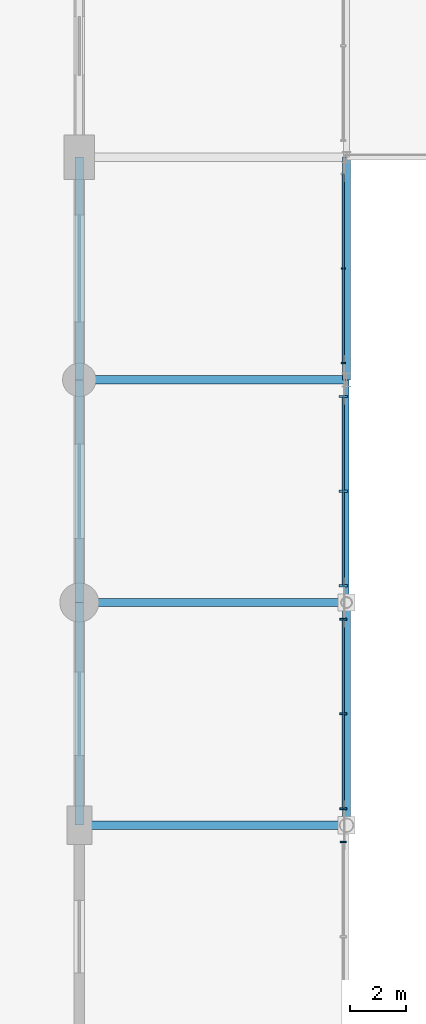
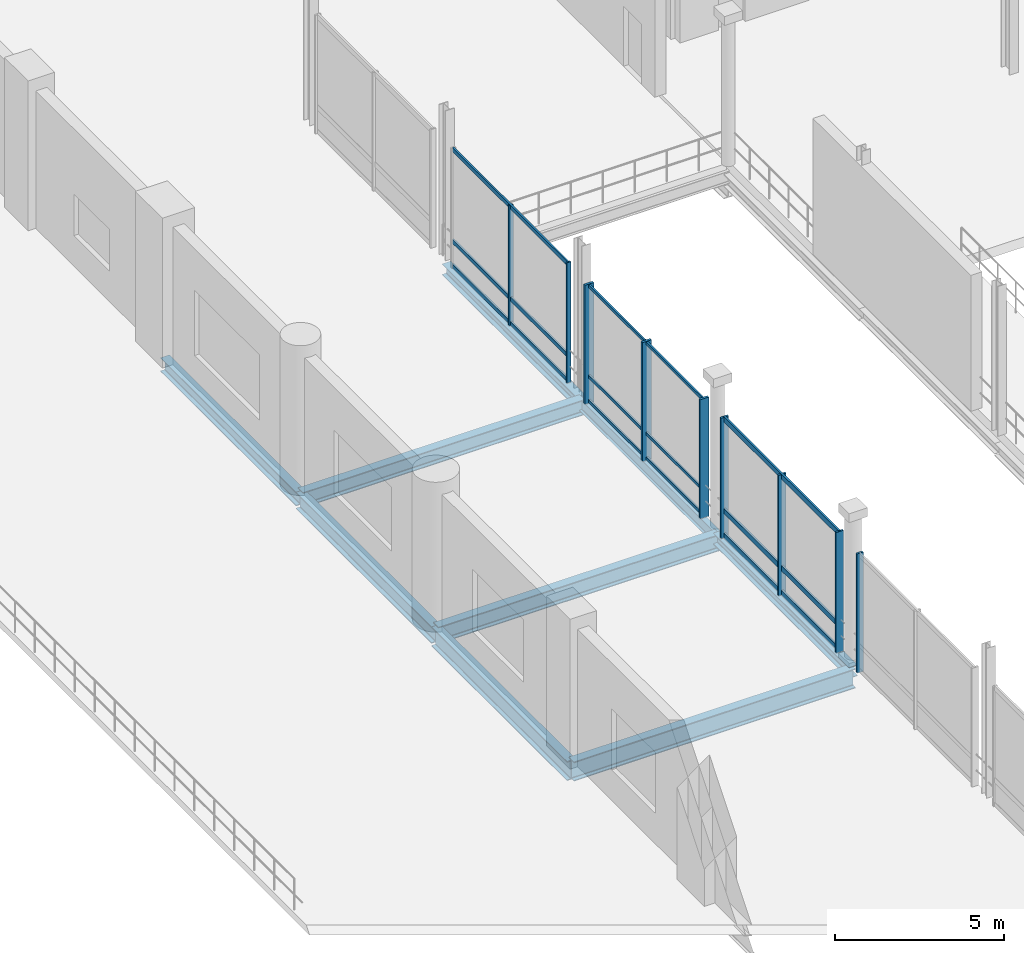
# One storey, part 50 of 129: 18 members, 9 beams, 4 elements without a shape of their own.
"""IFC4 building model written with IfcOpenShell, lengths in metres."""

from ifc_helpers import new_model, si_unit, direction, frame, origin, origin_2d, place, context, subcontext, project, spatial, rectangle, i_section, extrude, material, material_profile, profile_set, type_object, element, aggregate, save


model = new_model("IFC4")

# Units and contexts
model_context = context("Model", 3, precision=1e-05, world=origin(), true_north=direction((0.0, 1.0)))
body_context = subcontext(model_context, "Body", "Model", "MODEL_VIEW")
ifc_project = project(units=[si_unit("LENGTHUNIT", "METRE"), si_unit("AREAUNIT", "SQUARE_METRE"), si_unit("VOLUMEUNIT", "CUBIC_METRE"), si_unit("PLANEANGLEUNIT", "RADIAN"), si_unit("MASSUNIT", "GRAM", prefix="KILO")], contexts=[model_context])

# Site, building, storey
site_placement = place(None, origin())
site = spatial("IfcSite", under=ifc_project, at=site_placement, CompositionType="ELEMENT")
building_placement = place(site_placement, origin())
building = spatial("IfcBuilding", under=site, at=building_placement, Name="Danafjord Basin Convention Centre", CompositionType="ELEMENT")
storey_placement = place(building_placement, frame((0.0, 0.0, 6.0)))
storey = spatial("IfcBuildingStorey", under=building, at=storey_placement, Name="L01", CompositionType="ELEMENT", Elevation=6.0)

# Beams
ifc_material_1 = material(Name="Steel S355", Category="steel")
ifc_material_profile_1 = material_profile(ifc_material_1, i_section(OverallWidth=0.300048828125, OverallDepth=0.5, WebThickness=0.014404296875, FlangeThickness=0.028076171875, FilletRadius=0.027099609375, at=origin_2d()), Name="HEB 500")
ifc_profile_set_1 = profile_set([ifc_material_profile_1], Name="Steel S355")
beam_type_1 = type_object("IfcBeamType", Name="BEAM-BM-HEB500", PredefinedType="BEAM", material=ifc_profile_set_1)
beam_1_placement = place(storey_placement, frame((115.199951171875, 104.0, -0.5), z_axis=(0.0, 1.0, 0.0), x_axis=(-1.0, 0.0, 0.0)))
element("IfcBeam", 1, at=beam_1_placement, inside=storey, type_object=beam_type_1, Name="L01 transverse girder BM-HEB500", PredefinedType="BEAM", context=body_context, shape_type="SweptSolid", body=[
    extrude(i_section(OverallWidth=0.300048828125, OverallDepth=0.5, WebThickness=0.014404296875, FlangeThickness=0.028076171875, FilletRadius=0.027099609375, at=origin_2d()), origin(), (0.0, 0.0, 1.0), 8.0),
])
ifc_material_profile_2 = material_profile(ifc_material_1, i_section(OverallWidth=0.300048828125, OverallDepth=0.550048828125, WebThickness=0.014892578125, FlangeThickness=0.029052734375, FilletRadius=0.027099609375, at=origin_2d()), Name="HEB 550")
ifc_profile_set_2 = profile_set([ifc_material_profile_2], Name="Steel S355")
beam_type_2 = type_object("IfcBeamType", Name="BEAM-BM-HEB550", PredefinedType="BEAM", material=ifc_profile_set_2)
beam_2_placement = place(storey_placement, frame((115.199951171875, 104.0, -0.5048828125), z_axis=(1.0, 0.0, 0.0), x_axis=(0.0, 1.0, 0.0)))
element("IfcBeam", 2, at=beam_2_placement, inside=storey, type_object=beam_type_2, Name="L01 girder BM-HEB550", PredefinedType="BEAM", context=body_context, shape_type="SweptSolid", body=[
    extrude(i_section(OverallWidth=0.300048828125, OverallDepth=0.550048828125, WebThickness=0.014892578125, FlangeThickness=0.029052734375, FilletRadius=0.027099609375, at=origin_2d()), origin(), (0.0, 0.0, 1.0), 9.60009765625),
])
ifc_material_profile_3 = material_profile(ifc_material_1, i_section(OverallWidth=0.300048828125, OverallDepth=0.60009765625, WebThickness=0.015380859375, FlangeThickness=0.030029296875, FilletRadius=0.027099609375, at=origin_2d()), Name="HEB 600")
ifc_profile_set_3 = profile_set([ifc_material_profile_3], Name="Steel S355")
beam_type_3 = type_object("IfcBeamType", Name="BEAM-BM-HEB600", PredefinedType="BEAM", material=ifc_profile_set_3)
beam_3_placement = place(storey_placement, frame((115.199951171875, 96.0, -0.530029296875), z_axis=(1.0, 0.0, 0.0), x_axis=(0.0, 1.0, 0.0)))
element("IfcBeam", 3, at=beam_3_placement, inside=storey, type_object=beam_type_3, Name="L01 girder BM-HEB600", PredefinedType="BEAM", context=body_context, shape_type="SweptSolid", body=[
    extrude(i_section(OverallWidth=0.300048828125, OverallDepth=0.60009765625, WebThickness=0.015380859375, FlangeThickness=0.030029296875, FilletRadius=0.027099609375, at=origin_2d()), origin(), (0.0, 0.0, 1.0), 9.60009765625),
])
beam_4_placement = place(storey_placement, frame((115.199951171875, 96.0, -0.550048828125), z_axis=(0.0, 1.0, 0.0), x_axis=(-1.0, 0.0, 0.0)))
element("IfcBeam", 4, at=beam_4_placement, inside=storey, type_object=beam_type_3, Name="L01 transverse girder BM-HEB600", PredefinedType="BEAM", context=body_context, shape_type="SweptSolid", body=[
    extrude(i_section(OverallWidth=0.300048828125, OverallDepth=0.60009765625, WebThickness=0.015380859375, FlangeThickness=0.030029296875, FilletRadius=0.027099609375, at=origin_2d()), origin(), (0.0, 0.0, 1.0), 8.0),
])
ifc_material_profile_4 = material_profile(ifc_material_1, i_section(OverallWidth=0.300048828125, OverallDepth=0.699951171875, WebThickness=0.01708984375, FlangeThickness=0.031982421875, FilletRadius=0.027099609375, at=origin_2d()), Name="HEB 700")
ifc_profile_set_4 = profile_set([ifc_material_profile_4], Name="Steel S355")
beam_type_4 = type_object("IfcBeamType", Name="BEAM-BM-HEB700", PredefinedType="BEAM", material=ifc_profile_set_4)
beam_5_placement = place(storey_placement, frame((115.199951171875, 88.0, -0.580078125), z_axis=(1.0, 0.0, 0.0), x_axis=(0.0, 1.0, 0.0)))
element("IfcBeam", 5, at=beam_5_placement, inside=storey, type_object=beam_type_4, Name="L01 girder BM-HEB700", PredefinedType="BEAM", context=body_context, shape_type="SweptSolid", body=[
    extrude(i_section(OverallWidth=0.300048828125, OverallDepth=0.699951171875, WebThickness=0.01708984375, FlangeThickness=0.031982421875, FilletRadius=0.027099609375, at=origin_2d()), origin(), (0.0, 0.0, 1.0), 9.60009765625),
])
beam_6_placement = place(storey_placement, frame((115.199951171875, 88.0, -0.60009765625), z_axis=(0.0, 1.0, 0.0), x_axis=(-1.0, 0.0, 0.0)))
element("IfcBeam", 6, at=beam_6_placement, inside=storey, type_object=beam_type_4, Name="L01 transverse girder BM-HEB700", PredefinedType="BEAM", context=body_context, shape_type="SweptSolid", body=[
    extrude(i_section(OverallWidth=0.300048828125, OverallDepth=0.699951171875, WebThickness=0.01708984375, FlangeThickness=0.031982421875, FilletRadius=0.027099609375, at=origin_2d()), origin(), (0.0, 0.0, 1.0), 8.0),
])
ifc_material_profile_5 = material_profile(ifc_material_1, i_section(OverallWidth=0.300048828125, OverallDepth=0.39990234375, WebThickness=0.013427734375, FlangeThickness=0.02392578125, FilletRadius=0.027099609375, at=origin_2d()), Name="HEB 400")
ifc_profile_set_5 = profile_set([ifc_material_profile_5], Name="Steel S355")
beam_type_5 = type_object("IfcBeamType", Name="BEAM-SP-HEB400", PredefinedType="SPANDREL", material=ifc_profile_set_5)
for number, where, z_axis, x_axis, name in (
    (7, (124.800048828125, 88.0, -0.429931640625), (0.0, 1.0, 0.0), (-1.0, 0.0, 0.0), "L01 transverse girder SP-HEB400"),
    (8, (124.800048828125, 104.0, -0.429931640625), (0.0, 1.0, 0.0), (-1.0, 0.0, 0.0), "L01 transverse girder SP-HEB400"),
):
    element("IfcBeam", number, at=place(storey_placement, frame(where, z_axis=z_axis, x_axis=x_axis)), inside=storey, type_object=beam_type_5, Name=name, PredefinedType="SPANDREL", context=body_context, shape_type="SweptSolid", body=[
        extrude(i_section(OverallWidth=0.300048828125, OverallDepth=0.39990234375, WebThickness=0.013427734375, FlangeThickness=0.02392578125, FilletRadius=0.027099609375, at=origin_2d()), origin(), (0.0, 0.0, 1.0), 8.0),
    ])
ifc_material_profile_6 = material_profile(ifc_material_1, i_section(OverallWidth=0.18994140625, OverallDepth=0.449951171875, WebThickness=0.009521484375, FlangeThickness=0.0146484375, FilletRadius=0.02099609375, at=origin_2d()), Name="IPE 450")
ifc_profile_set_6 = profile_set([ifc_material_profile_6], Name="Steel S355")
beam_type_6 = type_object("IfcBeamType", Name="BEAM-SP-IPE450", PredefinedType="SPANDREL", material=ifc_profile_set_6)
beam_7_placement = place(storey_placement, frame((124.800048828125, 96.0, -0.455078125), z_axis=(0.0, 1.0, 0.0), x_axis=(-1.0, 0.0, 0.0)))
element("IfcBeam", 9, at=beam_7_placement, inside=storey, type_object=beam_type_6, Name="L01 transverse girder SP-IPE450", PredefinedType="SPANDREL", context=body_context, shape_type="SweptSolid", body=[
    extrude(i_section(OverallWidth=0.18994140625, OverallDepth=0.449951171875, WebThickness=0.009521484375, FlangeThickness=0.0146484375, FilletRadius=0.02099609375, at=origin_2d()), origin(), (0.0, 0.0, 1.0), 8.0),
])

# Curtain wall, members
ifc_material_2 = material(Name="Anodised aluminium and triple glazing", Category="aluminium")
curtain_wall_type = type_object("IfcCurtainWallType", Name="CW-CW-BRIDGE", PredefinedType="NOTDEFINED", material=ifc_material_2)
curtain_wall_1_placement = place(storey_placement, origin())
curtain_wall_1 = element("IfcCurtainWall", 10, at=curtain_wall_1_placement, inside=storey, type_object=curtain_wall_type, Name="L01 CW-BRIDGE unitised curtain wall bay 175", PredefinedType="NOTDEFINED")
ifc_material_3 = material(Name="Anodised aluminium EN AW-6060", Category="aluminium")
ifc_material_profile_7 = material_profile(ifc_material_3, rectangle(XDim=0.06005859375, YDim=0.139892578125, at=origin_2d()), Name="MULL 60x140")
ifc_profile_set_7 = profile_set([ifc_material_profile_7], Name="Anodised aluminium EN AW-6060")
member_type_1 = type_object("IfcMemberType", Name="MEM-ML-140", PredefinedType="MULLION", material=ifc_profile_set_7)
member_1_placement = place(storey_placement, frame((124.679931640625, 104.60009765625, -0.02490234375), z_axis=(0.0, 0.0, 1.0), x_axis=(0.0, 1.0, 0.0)))
member_1 = element("IfcMember", 11, at=member_1_placement, type_object=member_type_1, Name="CW-L01-175 mullion 1", PredefinedType="MULLION", context=body_context, shape_type="SweptSolid", body=[
    extrude(rectangle(XDim=0.06005859375, YDim=0.139892578125, at=origin_2d()), origin(), (0.0, 0.0, 1.0), 4.349853515625),
])
member_2_placement = place(storey_placement, frame((124.679931640625, 108.0, -0.02490234375), z_axis=(0.0, 0.0, 1.0), x_axis=(0.0, 1.0, 0.0)))
member_2 = element("IfcMember", 12, at=member_2_placement, type_object=member_type_1, Name="CW-L01-175 mullion 2", PredefinedType="MULLION", context=body_context, shape_type="SweptSolid", body=[
    extrude(rectangle(XDim=0.06005859375, YDim=0.139892578125, at=origin_2d()), origin(), (0.0, 0.0, 1.0), 4.349853515625),
])

# Curtain wall, member
curtain_wall_2_placement = place(storey_placement, origin())
curtain_wall_2 = element("IfcCurtainWall", 13, at=curtain_wall_2_placement, inside=storey, type_object=curtain_wall_type, Name="L01 CW-BRIDGE unitised curtain wall bay 172", PredefinedType="NOTDEFINED")
ifc_material_profile_8 = material_profile(ifc_material_3, rectangle(XDim=0.06494140625, YDim=0.219970703125, at=origin_2d()), Name="MULL 65x220")
ifc_profile_set_8 = profile_set([ifc_material_profile_8], Name="Anodised aluminium EN AW-6060")
member_type_2 = type_object("IfcMemberType", Name="MEM-ML-220", PredefinedType="MULLION", material=ifc_profile_set_8)
member_3_placement = place(storey_placement, frame((124.679931640625, 87.39990234375, -0.02490234375), z_axis=(0.0, 0.0, 1.0), x_axis=(0.0, 1.0, 0.0)))
member_3 = element("IfcMember", 14, at=member_3_placement, type_object=member_type_2, Name="CW-L01-172 mullion 3", PredefinedType="MULLION", context=body_context, shape_type="SweptSolid", body=[
    extrude(rectangle(XDim=0.06494140625, YDim=0.219970703125, at=origin_2d()), origin(), (0.0, 0.0, 1.0), 4.2998046875),
])
aggregate(curtain_wall_2, [member_3])

# Curtain wall, members
curtain_wall_3_placement = place(storey_placement, origin())
curtain_wall_3 = element("IfcCurtainWall", 15, at=curtain_wall_3_placement, inside=storey, type_object=curtain_wall_type, Name="L01 CW-BRIDGE unitised curtain wall bay 173", PredefinedType="NOTDEFINED")
ifc_material_profile_9 = material_profile(ifc_material_3, rectangle(XDim=0.070068359375, YDim=0.260009765625, at=origin_2d()), Name="MULL 70x260")
ifc_profile_set_9 = profile_set([ifc_material_profile_9], Name="Anodised aluminium EN AW-6060")
member_type_3 = type_object("IfcMemberType", Name="MEM-ML-260", PredefinedType="MULLION", material=ifc_profile_set_9)
member_4_placement = place(storey_placement, frame((124.679931640625, 88.60009765625, -0.02490234375), z_axis=(0.0, 0.0, 1.0), x_axis=(0.0, 1.0, 0.0)))
member_4 = element("IfcMember", 16, at=member_4_placement, type_object=member_type_3, Name="CW-L01-173 mullion 1", PredefinedType="MULLION", context=body_context, shape_type="SweptSolid", body=[
    extrude(rectangle(XDim=0.070068359375, YDim=0.260009765625, at=origin_2d()), origin(), (0.0, 0.0, 1.0), 4.349853515625),
])
member_5_placement = place(storey_placement, frame((124.679931640625, 92.0, -0.02490234375), z_axis=(0.0, 0.0, 1.0), x_axis=(0.0, 1.0, 0.0)))
member_5 = element("IfcMember", 17, at=member_5_placement, type_object=member_type_3, Name="CW-L01-173 mullion 2", PredefinedType="MULLION", context=body_context, shape_type="SweptSolid", body=[
    extrude(rectangle(XDim=0.070068359375, YDim=0.260009765625, at=origin_2d()), origin(), (0.0, 0.0, 1.0), 4.349853515625),
])
member_6_placement = place(storey_placement, frame((124.679931640625, 95.39990234375, -0.02490234375), z_axis=(0.0, 0.0, 1.0), x_axis=(0.0, 1.0, 0.0)))
member_6 = element("IfcMember", 18, at=member_6_placement, type_object=member_type_3, Name="CW-L01-173 mullion 3", PredefinedType="MULLION", context=body_context, shape_type="SweptSolid", body=[
    extrude(rectangle(XDim=0.070068359375, YDim=0.260009765625, at=origin_2d()), origin(), (0.0, 0.0, 1.0), 4.349853515625),
])

curtain_wall_4_placement = place(storey_placement, origin())
curtain_wall_4 = element("IfcCurtainWall", 19, at=curtain_wall_4_placement, inside=storey, type_object=curtain_wall_type, Name="L01 CW-BRIDGE unitised curtain wall bay 174", PredefinedType="NOTDEFINED")
ifc_material_profile_10 = material_profile(ifc_material_3, rectangle(XDim=0.080078125, YDim=0.300048828125, at=origin_2d()), Name="MULL 80x300")
ifc_profile_set_10 = profile_set([ifc_material_profile_10], Name="Anodised aluminium EN AW-6060")
member_type_4 = type_object("IfcMemberType", Name="MEM-ML-300", PredefinedType="MULLION", material=ifc_profile_set_10)
member_7_placement = place(storey_placement, frame((124.679931640625, 96.60009765625, -0.02490234375), z_axis=(0.0, 0.0, 1.0), x_axis=(0.0, 1.0, 0.0)))
member_7 = element("IfcMember", 20, at=member_7_placement, type_object=member_type_4, Name="CW-L01-174 mullion 1", PredefinedType="MULLION", context=body_context, shape_type="SweptSolid", body=[
    extrude(rectangle(XDim=0.080078125, YDim=0.300048828125, at=origin_2d()), origin(), (0.0, 0.0, 1.0), 4.2998046875),
])
member_8_placement = place(storey_placement, frame((124.679931640625, 100.0, -0.02490234375), z_axis=(0.0, 0.0, 1.0), x_axis=(0.0, 1.0, 0.0)))
member_8 = element("IfcMember", 21, at=member_8_placement, type_object=member_type_4, Name="CW-L01-174 mullion 2", PredefinedType="MULLION", context=body_context, shape_type="SweptSolid", body=[
    extrude(rectangle(XDim=0.080078125, YDim=0.300048828125, at=origin_2d()), origin(), (0.0, 0.0, 1.0), 4.2998046875),
])
member_9_placement = place(storey_placement, frame((124.679931640625, 103.39990234375, -0.02490234375), z_axis=(0.0, 0.0, 1.0), x_axis=(0.0, 1.0, 0.0)))
member_9 = element("IfcMember", 22, at=member_9_placement, type_object=member_type_4, Name="CW-L01-174 mullion 3", PredefinedType="MULLION", context=body_context, shape_type="SweptSolid", body=[
    extrude(rectangle(XDim=0.080078125, YDim=0.300048828125, at=origin_2d()), origin(), (0.0, 0.0, 1.0), 4.2998046875),
])
ifc_material_profile_11 = material_profile(ifc_material_3, rectangle(XDim=0.06005859375, YDim=0.110107421875, at=origin_2d()), Name="TRAN 60x110")
ifc_profile_set_11 = profile_set([ifc_material_profile_11], Name="Anodised aluminium EN AW-6060")
member_type_5 = type_object("IfcMemberType", Name="MEM-TR-110", PredefinedType="USERDEFINED", material=ifc_profile_set_11)
member_10_placement = place(storey_placement, frame((124.679931640625, 96.60009765625, 0.06005859375), z_axis=(0.0, 1.0, 0.0), x_axis=(-1.0, 0.0, 0.0)))
member_10 = element("IfcMember", 23, at=member_10_placement, type_object=member_type_5, Name="CW-L01-174 transom 1", ObjectType="TRANSOM", PredefinedType="USERDEFINED", context=body_context, shape_type="SweptSolid", body=[
    extrude(rectangle(XDim=0.06005859375, YDim=0.110107421875, at=origin_2d()), origin(), (0.0, 0.0, 1.0), 6.7998046875),
])
member_11_placement = place(storey_placement, frame((124.679931640625, 96.60009765625, 0.949951171875), z_axis=(0.0, 1.0, 0.0), x_axis=(-1.0, 0.0, 0.0)))
member_11 = element("IfcMember", 24, at=member_11_placement, type_object=member_type_5, Name="CW-L01-174 transom 2", ObjectType="TRANSOM", PredefinedType="USERDEFINED", context=body_context, shape_type="SweptSolid", body=[
    extrude(rectangle(XDim=0.06005859375, YDim=0.110107421875, at=origin_2d()), origin(), (0.0, 0.0, 1.0), 6.7998046875),
])
member_12_placement = place(storey_placement, frame((124.679931640625, 96.60009765625, 4.205078125), z_axis=(0.0, 1.0, 0.0), x_axis=(-1.0, 0.0, 0.0)))
member_12 = element("IfcMember", 25, at=member_12_placement, type_object=member_type_5, Name="CW-L01-174 transom 3", ObjectType="TRANSOM", PredefinedType="USERDEFINED", context=body_context, shape_type="SweptSolid", body=[
    extrude(rectangle(XDim=0.06005859375, YDim=0.110107421875, at=origin_2d()), origin(), (0.0, 0.0, 1.0), 6.7998046875),
])
aggregate(curtain_wall_4, [member_7, member_8, member_9, member_10, member_11, member_12])

# Member
ifc_material_profile_12 = material_profile(ifc_material_3, rectangle(XDim=0.06005859375, YDim=0.14990234375, at=origin_2d()), Name="TRAN 60x150")
ifc_profile_set_12 = profile_set([ifc_material_profile_12], Name="Anodised aluminium EN AW-6060")
member_type_6 = type_object("IfcMemberType", Name="MEM-TR-150", PredefinedType="USERDEFINED", material=ifc_profile_set_12)
member_13_placement = place(storey_placement, frame((124.679931640625, 104.60009765625, 0.06005859375), z_axis=(0.0, 1.0, 0.0), x_axis=(-1.0, 0.0, 0.0)))
member_13 = element("IfcMember", 26, at=member_13_placement, type_object=member_type_6, Name="CW-L01-175 transom 1", ObjectType="TRANSOM", PredefinedType="USERDEFINED", context=body_context, shape_type="SweptSolid", body=[
    extrude(rectangle(XDim=0.06005859375, YDim=0.14990234375, at=origin_2d()), origin(), (0.0, 0.0, 1.0), 6.7998046875),
])

member_14_placement = place(storey_placement, frame((124.679931640625, 104.60009765625, 0.949951171875), z_axis=(0.0, 1.0, 0.0), x_axis=(-1.0, 0.0, 0.0)))
member_14 = element("IfcMember", 27, at=member_14_placement, type_object=member_type_6, Name="CW-L01-175 transom 2", ObjectType="TRANSOM", PredefinedType="USERDEFINED", context=body_context, shape_type="SweptSolid", body=[
    extrude(rectangle(XDim=0.06005859375, YDim=0.14990234375, at=origin_2d()), origin(), (0.0, 0.0, 1.0), 6.7998046875),
])

member_15_placement = place(storey_placement, frame((124.679931640625, 104.60009765625, 4.2548828125), z_axis=(0.0, 1.0, 0.0), x_axis=(-1.0, 0.0, 0.0)))
member_15 = element("IfcMember", 28, at=member_15_placement, type_object=member_type_6, Name="CW-L01-175 transom 3", ObjectType="TRANSOM", PredefinedType="USERDEFINED", context=body_context, shape_type="SweptSolid", body=[
    extrude(rectangle(XDim=0.06005859375, YDim=0.14990234375, at=origin_2d()), origin(), (0.0, 0.0, 1.0), 6.7998046875),
])

aggregate(curtain_wall_1, [member_1, member_2, member_13, member_14, member_15])

ifc_material_profile_13 = material_profile(ifc_material_3, rectangle(XDim=0.06494140625, YDim=0.18994140625, at=origin_2d()), Name="TRAN 65x190")
ifc_profile_set_13 = profile_set([ifc_material_profile_13], Name="Anodised aluminium EN AW-6060")
member_type_7 = type_object("IfcMemberType", Name="MEM-TR-190", PredefinedType="USERDEFINED", material=ifc_profile_set_13)
member_16_placement = place(storey_placement, frame((124.679931640625, 88.60009765625, 0.06005859375), z_axis=(0.0, 1.0, 0.0), x_axis=(-1.0, 0.0, 0.0)))
member_16 = element("IfcMember", 29, at=member_16_placement, type_object=member_type_7, Name="CW-L01-173 transom 1", ObjectType="TRANSOM", PredefinedType="USERDEFINED", context=body_context, shape_type="SweptSolid", body=[
    extrude(rectangle(XDim=0.06494140625, YDim=0.18994140625, at=origin_2d()), origin(), (0.0, 0.0, 1.0), 6.7998046875),
])

member_17_placement = place(storey_placement, frame((124.679931640625, 88.60009765625, 0.949951171875), z_axis=(0.0, 1.0, 0.0), x_axis=(-1.0, 0.0, 0.0)))
member_17 = element("IfcMember", 30, at=member_17_placement, type_object=member_type_7, Name="CW-L01-173 transom 2", ObjectType="TRANSOM", PredefinedType="USERDEFINED", context=body_context, shape_type="SweptSolid", body=[
    extrude(rectangle(XDim=0.06494140625, YDim=0.18994140625, at=origin_2d()), origin(), (0.0, 0.0, 1.0), 6.7998046875),
])

member_18_placement = place(storey_placement, frame((124.679931640625, 88.60009765625, 4.2548828125), z_axis=(0.0, 1.0, 0.0), x_axis=(-1.0, 0.0, 0.0)))
member_18 = element("IfcMember", 31, at=member_18_placement, type_object=member_type_7, Name="CW-L01-173 transom 3", ObjectType="TRANSOM", PredefinedType="USERDEFINED", context=body_context, shape_type="SweptSolid", body=[
    extrude(rectangle(XDim=0.06494140625, YDim=0.18994140625, at=origin_2d()), origin(), (0.0, 0.0, 1.0), 6.7998046875),
])

aggregate(curtain_wall_3, [member_4, member_5, member_6, member_16, member_17, member_18])

save(model, "model.ifc")
